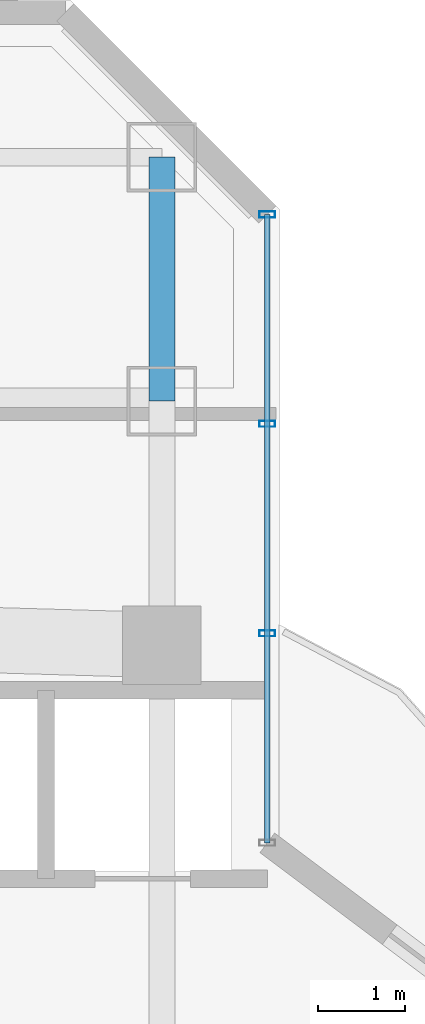
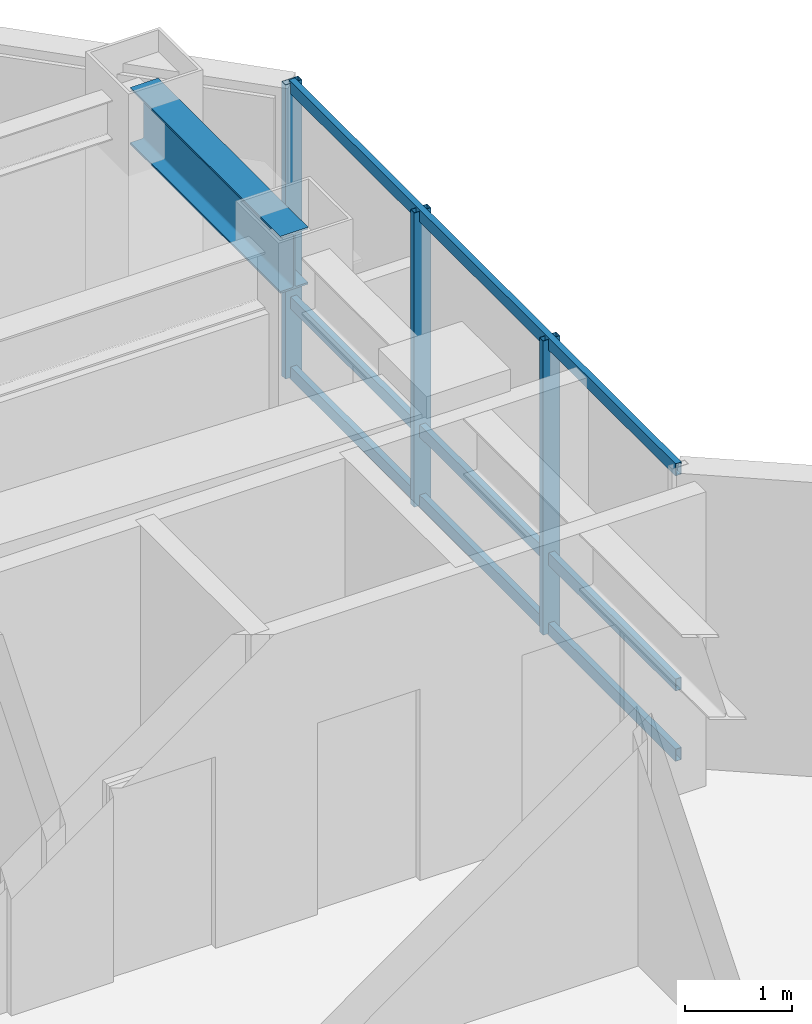
# One storey, part 19 of 28: 6 members, 1 beam, 1 element without a shape of its own.
"""IFC4 building model written with IfcOpenShell, lengths in metres."""

from ifc_helpers import new_model, si_unit, direction, frame, origin, origin_2d, place, context, subcontext, project, spatial, hollow_rectangle, i_section, extrude, material, layer, layer_set, material_profile, profile_set, type_object, element, aggregate, save


model = new_model("IFC4")

# Units and contexts
model_context = context("Model", 3, precision=1e-05, world=origin(), true_north=direction((0.0, 1.0)))
body_context = subcontext(model_context, "Body", "Model", "MODEL_VIEW")
ifc_project = project(units=[si_unit("LENGTHUNIT", "METRE"), si_unit("AREAUNIT", "SQUARE_METRE"), si_unit("VOLUMEUNIT", "CUBIC_METRE"), si_unit("PLANEANGLEUNIT", "RADIAN"), si_unit("MASSUNIT", "GRAM", prefix="KILO")], contexts=[model_context])

# Site, building, storey
site_placement = place(None, origin())
site = spatial("IfcSite", under=ifc_project, at=site_placement, CompositionType="ELEMENT")
building_placement = place(site_placement, origin())
building = spatial("IfcBuilding", under=site, at=building_placement, Name="Hatsunagi Terrace Concourse", CompositionType="ELEMENT")
storey_placement = place(building_placement, frame((0.0, 0.0, 170.85009765625)))
storey = spatial("IfcBuildingStorey", under=building, at=storey_placement, Name="L45", CompositionType="ELEMENT", Elevation=170.85009765625)

# Curtain wall, members
ifc_material_1 = material(Name="Anodised Aluminium Alloy 6063-T5", Category="aluminium")
ifc_layer = layer(ifc_material_1, 0.199951171875)
ifc_layer_set = layer_set([ifc_layer], Name="OfficeZone1_CW03")
curtain_wall_type = type_object("IfcCurtainWallType", Name="OfficeZone1_CW03", PredefinedType="NOTDEFINED", material=ifc_layer_set)
curtain_wall_placement = place(storey_placement, origin())
curtain_wall = element("IfcCurtainWall", 1, at=curtain_wall_placement, inside=storey, type_object=curtain_wall_type, Name="Unitised Curtain Wall CW-03 CW-L45-13", PredefinedType="NOTDEFINED")
ifc_material_2 = material(Name="Anodised Aluminium Alloy 6063-T5", Category="aluminium")
ifc_material_profile_1 = material_profile(ifc_material_2, hollow_rectangle(XDim=0.070068359375, YDim=0.179931640625, WallThickness=0.00390625, at=origin_2d()), Name="ALU-MUL-180x70x4")
ifc_profile_set_1 = profile_set([ifc_material_profile_1], Name="Anodised Aluminium Alloy 6063-T5")
member_type_1 = type_object("IfcMemberType", Name="CurtainWallMullion_180x70", PredefinedType="MULLION", material=ifc_profile_set_1)
member_1_placement = place(storey_placement, frame((44.860107421875, 47.94189453125, 0.0), z_axis=(0.0, 0.0, 1.0), x_axis=(0.0, -1.0, 0.0)))
member_1 = element("IfcMember", 2, at=member_1_placement, type_object=member_type_1, Name="Curtain Wall Mullion MUL-02", PredefinedType="MULLION", context=body_context, shape_type="SweptSolid", body=[
    extrude(hollow_rectangle(XDim=0.070068359375, YDim=0.179931640625, WallThickness=0.00390625, at=origin_2d()), origin(), (0.0, 0.0, 1.0), 3.349853515625),
])
member_2_placement = place(storey_placement, frame((44.860107421875, 45.5380859375, 0.0), z_axis=(0.0, 0.0, 1.0), x_axis=(0.0, -1.0, 0.0)))
member_2 = element("IfcMember", 3, at=member_2_placement, type_object=member_type_1, Name="Curtain Wall Mullion MUL-02", PredefinedType="MULLION", context=body_context, shape_type="SweptSolid", body=[
    extrude(hollow_rectangle(XDim=0.070068359375, YDim=0.179931640625, WallThickness=0.00390625, at=origin_2d()), origin(), (0.0, 0.0, 1.0), 3.349853515625),
])
member_3_placement = place(storey_placement, frame((44.860107421875, 43.134033203125, 0.0), z_axis=(0.0, 0.0, 1.0), x_axis=(0.0, -1.0, 0.0)))
member_3 = element("IfcMember", 4, at=member_3_placement, type_object=member_type_1, Name="Curtain Wall Mullion MUL-02", PredefinedType="MULLION", context=body_context, shape_type="SweptSolid", body=[
    extrude(hollow_rectangle(XDim=0.070068359375, YDim=0.179931640625, WallThickness=0.00390625, at=origin_2d()), origin(), (0.0, 0.0, 1.0), 3.349853515625),
])
ifc_material_3 = material(Name="Anodised Aluminium Alloy 6063-T5", Category="aluminium")
ifc_material_profile_2 = material_profile(ifc_material_3, hollow_rectangle(XDim=0.06494140625, YDim=0.139892578125, WallThickness=0.00390625, at=origin_2d()), Name="ALU-TRN-140x65x4")
ifc_profile_set_2 = profile_set([ifc_material_profile_2], Name="Anodised Aluminium Alloy 6063-T5")
member_type_2 = type_object("IfcMemberType", Name="CurtainWallTransom_140x65", PredefinedType="USERDEFINED", material=ifc_profile_set_2)
member_4_placement = place(storey_placement, frame((44.860107421875, 47.94189453125, 0.0498046875), z_axis=(0.0, -1.0, 0.0), x_axis=(1.0, 0.0, 0.0)))
member_4 = element("IfcMember", 5, at=member_4_placement, type_object=member_type_2, Name="Curtain Wall Transom TRN-02", ObjectType="TRANSOM", PredefinedType="USERDEFINED", context=body_context, shape_type="SweptSolid", body=[
    extrude(hollow_rectangle(XDim=0.06494140625, YDim=0.139892578125, WallThickness=0.00390625, at=origin_2d()), origin(), (0.0, 0.0, 1.0), 7.2119140625),
])
member_5_placement = place(storey_placement, frame((44.860107421875, 47.94189453125, 0.849853515625), z_axis=(0.0, -1.0, 0.0), x_axis=(1.0, 0.0, 0.0)))
member_5 = element("IfcMember", 6, at=member_5_placement, type_object=member_type_2, Name="Curtain Wall Transom TRN-02", ObjectType="TRANSOM", PredefinedType="USERDEFINED", context=body_context, shape_type="SweptSolid", body=[
    extrude(hollow_rectangle(XDim=0.06494140625, YDim=0.139892578125, WallThickness=0.00390625, at=origin_2d()), origin(), (0.0, 0.0, 1.0), 7.2119140625),
])
member_6_placement = place(storey_placement, frame((44.860107421875, 47.94189453125, 3.2998046875), z_axis=(0.0, -1.0, 0.0), x_axis=(1.0, 0.0, 0.0)))
member_6 = element("IfcMember", 7, at=member_6_placement, type_object=member_type_2, Name="Curtain Wall Transom TRN-02", ObjectType="TRANSOM", PredefinedType="USERDEFINED", context=body_context, shape_type="SweptSolid", body=[
    extrude(hollow_rectangle(XDim=0.06494140625, YDim=0.139892578125, WallThickness=0.00390625, at=origin_2d()), origin(), (0.0, 0.0, 1.0), 7.2119140625),
])
aggregate(curtain_wall, [member_1, member_2, member_3, member_4, member_5, member_6])

# Beam
ifc_material_4 = material(Name="Steel SN490B", Category="steel")
ifc_material_profile_3 = material_profile(ifc_material_4, i_section(OverallWidth=0.300048828125, OverallDepth=0.64990234375, WebThickness=0.012939453125, FlangeThickness=0.02197265625, FilletRadius=0.01806640625, at=origin_2d()), Name="H-650x300x13x22")
ifc_profile_set_3 = profile_set([ifc_material_profile_3], Name="Steel SN490B")
beam_type = type_object("IfcBeamType", Name="OfficeLowGirder_H_650x300", PredefinedType="BEAM", material=ifc_profile_set_3)
beam_placement = place(storey_placement, frame((43.64990234375, 45.800048828125, 3.02490234375), z_axis=(0.0, 1.0, 0.0), x_axis=(-1.0, 0.0, 0.0)))
element("IfcBeam", 8, at=beam_placement, inside=storey, type_object=beam_type, Name="Beam G-05 BM-L45-KN-WN6", PredefinedType="BEAM", context=body_context, shape_type="SweptSolid", body=[
    extrude(i_section(OverallWidth=0.300048828125, OverallDepth=0.64990234375, WebThickness=0.012939453125, FlangeThickness=0.02197265625, FilletRadius=0.01806640625, at=origin_2d()), origin(), (0.0, 0.0, 1.0), 2.800048828125),
])

save(model, "model.ifc")
